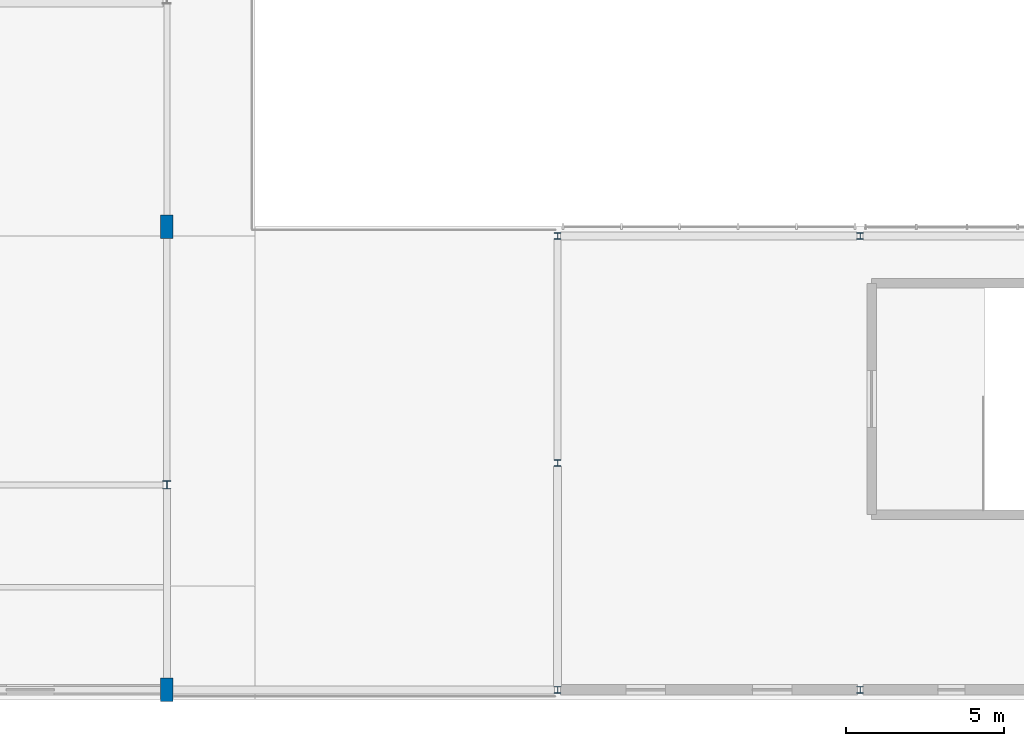
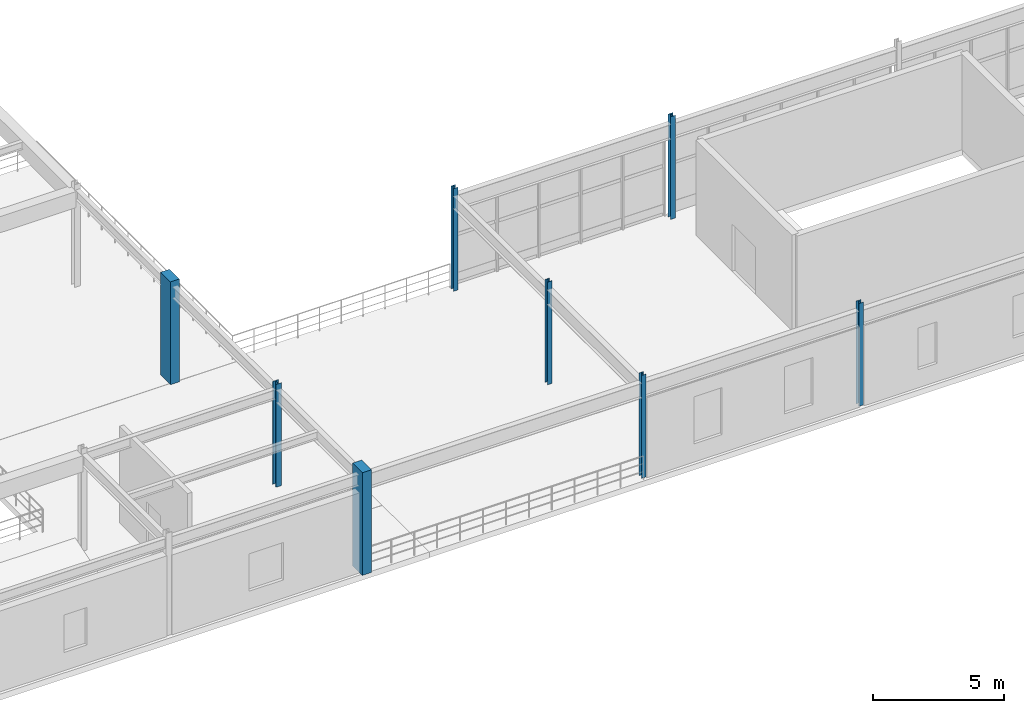
# One storey, part 4 of 144: 8 columns.
"""IFC4 building model written with IfcOpenShell, lengths in metres."""

from ifc_helpers import new_model, si_unit, direction, frame, origin, origin_2d, place, context, subcontext, project, spatial, rectangle, i_section, extrude, material, material_profile, profile_set, type_object, element, save


model = new_model("IFC4")

# Units and contexts
model_context = context("Model", 3, precision=1e-05, world=origin(), true_north=direction((0.0, 1.0)))
body_context = subcontext(model_context, "Body", "Model", "MODEL_VIEW")
ifc_project = project(units=[si_unit("LENGTHUNIT", "METRE"), si_unit("AREAUNIT", "SQUARE_METRE"), si_unit("VOLUMEUNIT", "CUBIC_METRE"), si_unit("PLANEANGLEUNIT", "RADIAN"), si_unit("MASSUNIT", "GRAM", prefix="KILO")], contexts=[model_context])

# Site, building, storey
site_placement = place(None, origin())
site = spatial("IfcSite", under=ifc_project, at=site_placement, CompositionType="ELEMENT")
building_placement = place(site_placement, origin())
building = spatial("IfcBuilding", under=site, at=building_placement, Name="Cinderbank Siding Concert Hall", CompositionType="ELEMENT")
storey_placement = place(building_placement, frame((0.0, 0.0, 5.39990234375)))
storey = spatial("IfcBuildingStorey", under=building, at=storey_placement, Name="L02", CompositionType="ELEMENT", Elevation=5.39990234375)

# Columns
ifc_material_1 = material(Name="Structural steel AS/NZS 3679.1 Grade 350 (340 MPa)", Category="steel")
ifc_material_profile_1 = material_profile(ifc_material_1, i_section(OverallWidth=0.205078125, OverallDepth=0.209716796875, WebThickness=0.00927734375, FlangeThickness=0.01416015625, at=origin_2d()), Name="200UC59.5", Category="LoadBearing")
ifc_profile_set_1 = profile_set([ifc_material_profile_1], Name="Structural steel AS/NZS 3679.1 Grade 350 (340 MPa)")
column_type_1 = type_object("IfcColumnType", Name="C-UC200 200UC59.5", PredefinedType="COLUMN", material=ifc_profile_set_1)
for number, where, z_axis, x_axis, name in (
    (1, (58.39990234375, 6.10009765625, 0.0), (0.0, 0.0, 1.0), (1.0, 0.0, 0.0), "L02 Column COL-SL-1-1"),
    (2, (58.39990234375, 13.300048828125, 0.0), (0.0, 0.0, 1.0), (1.0, 0.0, 0.0), "L02 Column COL-SL-1-2"),
    (3, (58.39990234375, 20.5, 0.0), (0.0, 0.0, 1.0), (1.0, 0.0, 0.0), "L02 Column COL-SL-1-3"),
    (4, (68.0, 6.10009765625, 0.0), (0.0, 0.0, 1.0), (1.0, 0.0, 0.0), "L02 Column COL-SL-2-1"),
    (5, (68.0, 20.5, 0.0), (0.0, 0.0, 1.0), (1.0, 0.0, 0.0), "L02 Column COL-SL-2-3"),
):
    element("IfcColumn", number, at=place(storey_placement, frame(where, z_axis=z_axis, x_axis=x_axis)), inside=storey, type_object=column_type_1, Name=name, PredefinedType="COLUMN", context=body_context, shape_type="SweptSolid", body=[
        extrude(i_section(OverallWidth=0.205078125, OverallDepth=0.209716796875, WebThickness=0.00927734375, FlangeThickness=0.01416015625, at=origin_2d()), origin(), (0.0, 0.0, 1.0), 4.800048828125),
    ])
ifc_material_profile_2 = material_profile(ifc_material_1, i_section(OverallWidth=0.25390625, OverallDepth=0.25390625, WebThickness=0.008544921875, FlangeThickness=0.01416015625, at=origin_2d()), Name="250UC72.9", Category="LoadBearing")
ifc_profile_set_2 = profile_set([ifc_material_profile_2], Name="Structural steel AS/NZS 3679.1 Grade 350 (340 MPa)")
column_type_2 = type_object("IfcColumnType", Name="C-UC250 250UC72.9", PredefinedType="COLUMN", material=ifc_profile_set_2)
column_placement = place(storey_placement, frame((46.0, 12.60009765625, 0.0), z_axis=(0.0, 0.0, 1.0), x_axis=(1.0, 0.0, 0.0)))
element("IfcColumn", 6, at=column_placement, inside=storey, type_object=column_type_2, Name="L02 Column COL-V2-6-2", PredefinedType="COLUMN", context=body_context, shape_type="SweptSolid", body=[
    extrude(i_section(OverallWidth=0.25390625, OverallDepth=0.25390625, WebThickness=0.008544921875, FlangeThickness=0.01416015625, at=origin_2d()), origin(), (0.0, 0.0, 1.0), 4.800048828125),
])
ifc_material_2 = material(Name="Reinforced concrete AS 3600 N50 (50 MPa)", Category="concrete")
ifc_material_profile_3 = material_profile(ifc_material_2, rectangle(XDim=0.39990234375, YDim=0.75, at=origin_2d()), Name="RC-PIER-400x750", Category="LoadBearing")
ifc_profile_set_3 = profile_set([ifc_material_profile_3], Name="Reinforced concrete AS 3600 N50 (50 MPa)")
column_type_3 = type_object("IfcColumnType", Name="PL-RC750 RC-PIER-400x750", PredefinedType="PILASTER", material=ifc_profile_set_3)
for number, where, z_axis, x_axis, name in (
    (7, (46.0, 6.10009765625, 0.0), (0.0, 0.0, 1.0), (1.0, 0.0, 0.0), "L02 Column COL-V2-6-1"),
    (8, (46.0, 20.800048828125, 0.0), (0.0, 0.0, 1.0), (1.0, 0.0, 0.0), "L02 Column COL-V2-6-3"),
):
    element("IfcColumn", number, at=place(storey_placement, frame(where, z_axis=z_axis, x_axis=x_axis)), inside=storey, type_object=column_type_3, Name=name, PredefinedType="PILASTER", context=body_context, shape_type="SweptSolid", body=[
        extrude(rectangle(XDim=0.39990234375, YDim=0.75, at=origin_2d()), origin(), (0.0, 0.0, 1.0), 4.800048828125),
    ])

save(model, "model.ifc")
